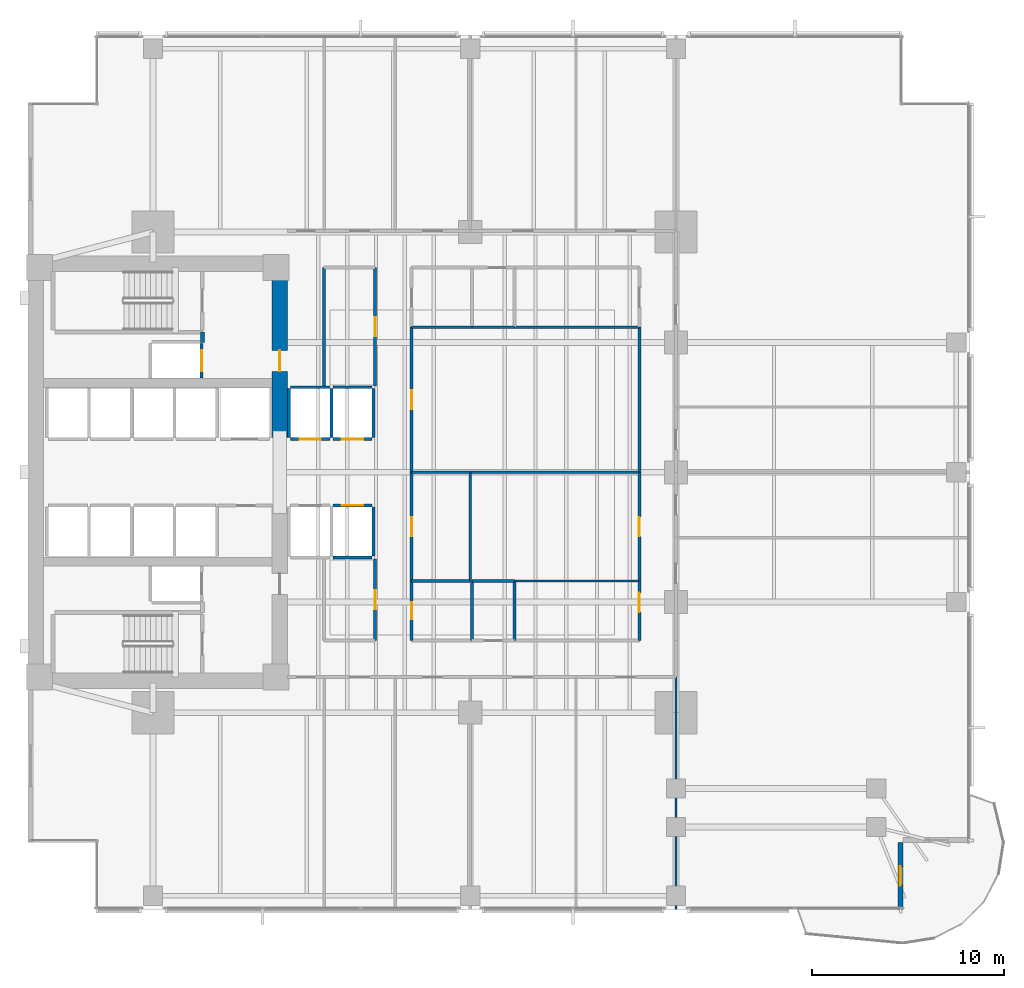
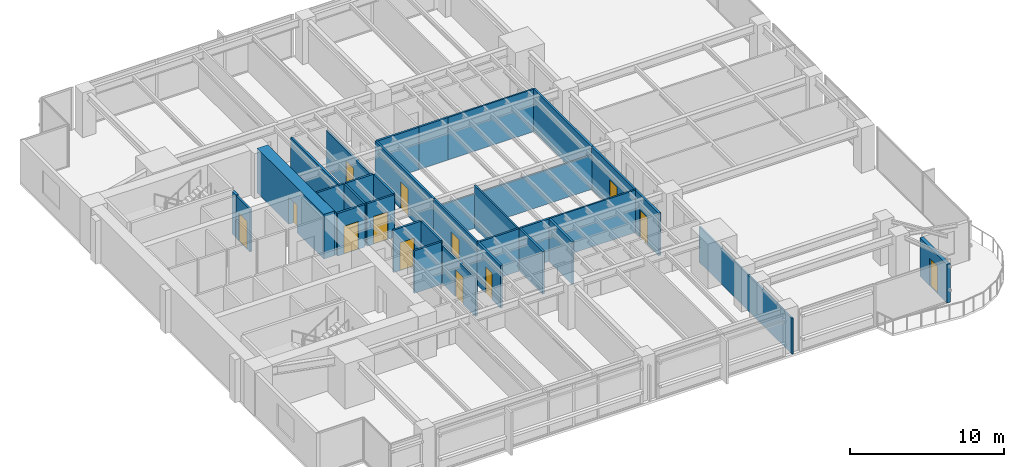
# One storey, part 9 of 15: 35 walls, 13 doors, 13 openings.
"""IFC4 building model written with IfcOpenShell, lengths in metres."""

from ifc_helpers import new_model, si_unit, direction, frame, frame_2d, origin, place, context, subcontext, project, spatial, rectangle, extrude, material, layer, layer_set, type_object, element, fill, save


model = new_model("IFC4")

# Units and contexts
model_context = context("Model", 3, precision=1e-05, world=origin(), true_north=direction((0.0, 1.0)))
body_context = subcontext(model_context, "Body", "Model", "MODEL_VIEW")
ifc_project = project(units=[si_unit("LENGTHUNIT", "METRE"), si_unit("AREAUNIT", "SQUARE_METRE"), si_unit("VOLUMEUNIT", "CUBIC_METRE"), si_unit("PLANEANGLEUNIT", "RADIAN"), si_unit("MASSUNIT", "GRAM", prefix="KILO")], contexts=[model_context])

# Site, building, storey
site_placement = place(None, origin())
site = spatial("IfcSite", under=ifc_project, at=site_placement, CompositionType="ELEMENT")
building_placement = place(site_placement, origin())
building = spatial("IfcBuilding", under=site, at=building_placement, Name="Kinhvarn Gate Tower", CompositionType="ELEMENT")
storey_placement = place(building_placement, frame((0.0, 0.0, 61.10009765625)))
storey = spatial("IfcBuildingStorey", under=building, at=storey_placement, Name="L15", CompositionType="ELEMENT", Elevation=61.10009765625)

# Wall, opening, door
ifc_material_1 = material(Name="Concrete C70/85", Category="concrete")
ifc_layer_1 = layer(ifc_material_1, 0.800048828125)
ifc_layer_set_1 = layer_set([ifc_layer_1], Name="Concrete C70/85")
wall_type_1 = type_object("IfcWallType", Name="WL-CORE-800", PredefinedType="SHEAR", material=ifc_layer_set_1)
wall_1_placement = place(storey_placement, frame((17.60009765625, 27.050048828125, 0.0), z_axis=(0.0, 0.0, 1.0), x_axis=(0.0, 1.0, 0.0)))
wall_1 = element("IfcWall", 1, at=wall_1_placement, inside=storey, type_object=wall_type_1, Name="Core East-North Shear Pier L15 800 mm", PredefinedType="SHEAR", context=body_context, shape_type="SweptSolid", body=[
    extrude(rectangle(XDim=8.64990234375, YDim=0.800048828125, at=frame_2d((4.324951171875, 0.0))), origin(), (0.0, 0.0, 1.0), 3.5498046875),
])
opening_1_placement = place(wall_1_placement, frame((3.449951171875, 0.0, 0.0)))
opening_1 = element("IfcOpeningElement", 2, at=opening_1_placement, cuts=wall_1, Name="Opening FD-02", PredefinedType="OPENING", context=body_context, shape_type="SweptSolid", body=[
    extrude(rectangle(XDim=1.10009765625, YDim=2.14990234375, at=frame_2d((0.550048828125, 1.074951171875))), frame((0.0, 0.41015625, 0.0), z_axis=(0.0, -1.0, 0.0), x_axis=(1.0, 0.0, 0.0)), (0.0, 0.0, 1.0), 0.820068359375),
])
ifc_material_2 = material(Name="Anodised aluminium AW-6063", Category="aluminium")
door_type_1 = type_object("IfcDoorType", Name="DR-FD-1100", OperationType="NOTDEFINED", PredefinedType="DOOR", material=ifc_material_2)
door_1_placement = place(opening_1_placement, origin())
door_1 = element("IfcDoor", 3, at=door_1_placement, inside=storey, type_object=door_type_1, Name="Firefighting Lobby Core Door (L15)", OperationType="SINGLE_SWING_LEFT", OverallHeight=2.14990234375, OverallWidth=1.10009765625, PredefinedType="DOOR", context=body_context, shape_type="SweptSolid", body=[
    extrude(rectangle(XDim=1.10009765625, YDim=2.14990234375, at=frame_2d((0.550048828125, 1.074951171875))), frame((0.0, 0.02490234375, 0.0), z_axis=(0.0, -1.0, 0.0), x_axis=(1.0, 0.0, 0.0)), (0.0, 0.0, 1.0), 0.050048828125),
])
fill(opening_1, door_1)

ifc_material_3 = material(Name="Fired architectural terracotta", Category="masonry")
ifc_layer_2 = layer(ifc_material_3, 0.25)
ifc_layer_set_2 = layer_set([ifc_layer_2], Name="Fired architectural terracotta")
wall_type_2 = type_object("IfcWallType", Name="WL-EXT-250", PredefinedType="SOLIDWALL", material=ifc_layer_set_2)
wall_2_placement = place(storey_placement, frame((49.875, 2.5, 0.0), z_axis=(0.0, 0.0, 1.0), x_axis=(0.0, 1.0, 0.0)))
wall_2 = element("IfcWall", 4, at=wall_2_placement, inside=storey, type_object=wall_type_2, Name="Exterior Solidwall Wall EW-250 (L15 SE-Notch-Door)", PredefinedType="SOLIDWALL", context=body_context, shape_type="SweptSolid", body=[
    extrude(rectangle(XDim=3.5, YDim=0.25, at=frame_2d((1.75, 0.0))), origin(), (0.0, 0.0, 1.0), 3.06982421875),
])
opening_2_placement = place(wall_2_placement, frame((1.25, 0.0, 0.0)))
opening_2 = element("IfcOpeningElement", 5, at=opening_2_placement, cuts=wall_2, Name="Opening BD-01", PredefinedType="OPENING", context=body_context, shape_type="SweptSolid", body=[
    extrude(rectangle(XDim=1.0, YDim=2.199951171875, at=frame_2d((0.5, 1.10009765625))), frame((0.0, 0.135009765625, 0.0), z_axis=(0.0, -1.0, 0.0), x_axis=(1.0, 0.0, 0.0)), (0.0, 0.0, 1.0), 0.27001953125),
])
ifc_material_4 = material(Name="Clear low-e double glazing", Category="glass")
door_type_2 = type_object("IfcDoorType", Name="DR-BAL-1000", OperationType="NOTDEFINED", PredefinedType="DOOR", material=ifc_material_4)
door_2_placement = place(opening_2_placement, frame((1.0, 0.0, 0.0), z_axis=(0.0, 0.0, 1.0), x_axis=(-1.0, 0.0, 0.0)))
door_2 = element("IfcDoor", 6, at=door_2_placement, inside=storey, type_object=door_type_2, Name="S-Carve Balcony Door BD-01 (L15)", OperationType="SINGLE_SWING_LEFT", OverallHeight=2.199951171875, OverallWidth=1.0, PredefinedType="DOOR", context=body_context, shape_type="SweptSolid", body=[
    extrude(rectangle(XDim=1.0, YDim=2.199951171875, at=frame_2d((0.5, 1.10009765625))), frame((0.0, 0.02490234375, 0.0), z_axis=(0.0, -1.0, 0.0), x_axis=(1.0, 0.0, 0.0)), (0.0, 0.0, 1.0), 0.050048828125),
])
fill(opening_2, door_2)

# Walls
ifc_material_5 = material(Name="Gypsum acoustic partition board")
ifc_layer_3 = layer(ifc_material_5, 0.14990234375)
ifc_layer_set_3 = layer_set([ifc_layer_3], Name="Gypsum acoustic partition board")
wall_type_3 = type_object("IfcWallType", Name="WL-PLM-150", PredefinedType="PLUMBINGWALL", material=ifc_layer_set_3)
wall_3_placement = place(storey_placement, frame((27.60009765625, 16.5, 0.0), z_axis=(0.0, 0.0, 1.0), x_axis=(0.0, 1.0, 0.0)))
element("IfcWall", 7, at=wall_3_placement, inside=storey, type_object=wall_type_3, Name="Interior Partition PLW-150 (L15)", PredefinedType="PLUMBINGWALL", context=body_context, shape_type="SweptSolid", body=[
    extrude(rectangle(XDim=3.10009765625, YDim=0.14990234375, at=frame_2d((1.550048828125, 0.0))), origin(), (0.0, 0.0, 1.0), 3.369873046875),
])
wall_4_placement = place(storey_placement, frame((24.449951171875, 19.60009765625, 0.0), z_axis=(0.0, 0.0, 1.0), x_axis=(1.0, 0.0, 0.0)))
element("IfcWall", 8, at=wall_4_placement, inside=storey, type_object=wall_type_3, Name="Interior Partition PLW-150 (L15)", PredefinedType="PLUMBINGWALL", context=body_context, shape_type="SweptSolid", body=[
    extrude(rectangle(XDim=3.050048828125, YDim=0.14990234375, at=frame_2d((1.52490234375, 0.0))), origin(), (0.0, 0.0, 1.0), 3.369873046875),
])
wall_5_placement = place(storey_placement, frame((24.449951171875, 32.800048828125, 0.0), z_axis=(0.0, 0.0, 1.0), x_axis=(1.0, 0.0, 0.0)))
element("IfcWall", 9, at=wall_5_placement, inside=storey, type_object=wall_type_3, Name="Interior Partition PLW-150 (L15)", PredefinedType="PLUMBINGWALL", context=body_context, shape_type="SweptSolid", body=[
    extrude(rectangle(XDim=3.150146484375, YDim=0.14990234375, at=frame_2d((1.5751953125, 0.0))), origin(), (0.0, 0.0, 1.0), 3.369873046875),
])
wall_6_placement = place(storey_placement, frame((29.800048828125, 16.5, 0.0), z_axis=(0.0, 0.0, 1.0), x_axis=(0.0, 1.0, 0.0)))
element("IfcWall", 10, at=wall_6_placement, inside=storey, type_object=wall_type_3, Name="Interior Partition PLW-150 (L15)", PredefinedType="PLUMBINGWALL", context=body_context, shape_type="SweptSolid", body=[
    extrude(rectangle(XDim=3.10009765625, YDim=0.14990234375, at=frame_2d((1.550048828125, 0.0))), origin(), (0.0, 0.0, 1.0), 3.369873046875),
])
for number, where, z_axis, x_axis, name in (
    (11, (27.60009765625, 19.60009765625, 0.0), (0.0, 0.0, 1.0), (1.0, 0.0, 0.0), "Interior Partition PLW-150 (L15)"),
    (12, (27.60009765625, 32.800048828125, 0.0), (0.0, 0.0, 1.0), (1.0, 0.0, 0.0), "Interior Partition PLW-150 (L15)"),
):
    element("IfcWall", number, at=place(storey_placement, frame(where, z_axis=z_axis, x_axis=x_axis)), inside=storey, type_object=wall_type_3, Name=name, PredefinedType="PLUMBINGWALL", context=body_context, shape_type="SweptSolid", body=[
        extrude(rectangle(XDim=2.199951171875, YDim=0.14990234375, at=frame_2d((1.10009765625, 0.0))), origin(), (0.0, 0.0, 1.0), 3.369873046875),
    ])

# Wall, opening, door
ifc_layer_4 = layer(ifc_material_5, 0.14990234375)
ifc_layer_set_4 = layer_set([ifc_layer_4], Name="Gypsum acoustic partition board")
wall_type_4 = type_object("IfcWallType", Name="WL-PLM-150F", PredefinedType="PLUMBINGWALL", material=ifc_layer_set_4)
wall_7_placement = place(storey_placement, frame((24.449951171875, 16.5, 0.0), z_axis=(0.0, 0.0, 1.0), x_axis=(0.0, 1.0, 0.0)))
wall_7 = element("IfcWall", 13, at=wall_7_placement, inside=storey, type_object=wall_type_4, Name="Interior Partition PLW-150F (L15)", PredefinedType="PLUMBINGWALL", context=body_context, shape_type="SweptSolid", body=[
    extrude(rectangle(XDim=3.10009765625, YDim=0.14990234375, at=frame_2d((1.550048828125, 0.0))), origin(), (0.0, 0.0, 1.0), 3.369873046875),
])
opening_3_placement = place(wall_7_placement, frame((1.10009765625, 0.0, 0.0)))
opening_3 = element("IfcOpeningElement", 14, at=opening_3_placement, cuts=wall_7, Name="Opening FD-04", PredefinedType="OPENING", context=body_context, shape_type="SweptSolid", body=[
    extrude(rectangle(XDim=0.89990234375, YDim=2.10009765625, at=frame_2d((0.449951171875, 1.050048828125))), frame((0.0, 0.0849609375, 0.0), z_axis=(0.0, -1.0, 0.0), x_axis=(1.0, 0.0, 0.0)), (0.0, 0.0, 1.0), 0.169921875),
])
door_type_3 = type_object("IfcDoorType", Name="DR-FD-900", OperationType="NOTDEFINED", PredefinedType="DOOR", material=ifc_material_2)
door_3_placement = place(opening_3_placement, origin())
door_3 = element("IfcDoor", 15, at=door_3_placement, inside=storey, type_object=door_type_3, Name="Rated Riser & Service Closet Fire Door 900x2100 mm (L15)", OperationType="SINGLE_SWING_LEFT", OverallHeight=2.10009765625, OverallWidth=0.89990234375, PredefinedType="DOOR", context=body_context, shape_type="SweptSolid", body=[
    extrude(rectangle(XDim=0.89990234375, YDim=2.10009765625, at=frame_2d((0.449951171875, 1.050048828125))), frame((0.0, 0.02490234375, 0.0), z_axis=(0.0, -1.0, 0.0), x_axis=(1.0, 0.0, 0.0)), (0.0, 0.0, 1.0), 0.050048828125),
])
fill(opening_3, door_3)

# Walls
ifc_layer_5 = layer(ifc_material_5, 0.1201171875)
ifc_layer_set_5 = layer_set([ifc_layer_5], Name="Gypsum acoustic partition board")
wall_type_5 = type_object("IfcWallType", Name="WL-PRT-120", PredefinedType="PARTITIONING", material=ifc_layer_set_5)
for number, where, z_axis, x_axis, name in (
    (16, (29.800048828125, 19.60009765625, 0.0), (0.0, 0.0, 1.0), (1.0, 0.0, 0.0), "Interior Partition PW-120 (L15)"),
    (17, (29.800048828125, 32.800048828125, 0.0), (0.0, 0.0, 1.0), (1.0, 0.0, 0.0), "Interior Partition PW-120 (L15)"),
):
    element("IfcWall", number, at=place(storey_placement, frame(where, z_axis=z_axis, x_axis=x_axis)), inside=storey, type_object=wall_type_5, Name=name, PredefinedType="PARTITIONING", context=body_context, shape_type="SweptSolid", body=[
        extrude(rectangle(XDim=6.5, YDim=0.1201171875, at=frame_2d((3.25, 0.0))), origin(), (0.0, 0.0, 1.0), 3.369873046875),
    ])
wall_8_placement = place(storey_placement, frame((27.5, 19.60009765625, 0.0), z_axis=(0.0, 0.0, 1.0), x_axis=(0.0, 1.0, 0.0)))
element("IfcWall", 18, at=wall_8_placement, inside=storey, type_object=wall_type_5, Name="Interior Partition PW-120 (L15)", PredefinedType="PARTITIONING", context=body_context, shape_type="SweptSolid", body=[
    extrude(rectangle(XDim=5.64990234375, YDim=0.1201171875, at=frame_2d((2.824951171875, 0.0))), origin(), (0.0, 0.0, 1.0), 3.369873046875),
])
wall_9_placement = place(storey_placement, frame((24.449951171875, 25.25, 0.0), z_axis=(0.0, 0.0, 1.0), x_axis=(1.0, 0.0, 0.0)))
element("IfcWall", 19, at=wall_9_placement, inside=storey, type_object=wall_type_5, Name="Interior Partition PW-120 (L15)", PredefinedType="PARTITIONING", context=body_context, shape_type="SweptSolid", body=[
    extrude(rectangle(XDim=3.050048828125, YDim=0.1201171875, at=frame_2d((1.52490234375, 0.0))), origin(), (0.0, 0.0, 1.0), 2.719970703125),
])
wall_10_placement = place(storey_placement, frame((27.5, 25.25, 0.0), z_axis=(0.0, 0.0, 1.0), x_axis=(1.0, 0.0, 0.0)))
element("IfcWall", 20, at=wall_10_placement, inside=storey, type_object=wall_type_5, Name="Interior Partition PW-120 (L15)", PredefinedType="PARTITIONING", context=body_context, shape_type="SweptSolid", body=[
    extrude(rectangle(XDim=8.800048828125, YDim=0.1201171875, at=frame_2d((4.39990234375, 0.0))), origin(), (0.0, 0.0, 1.0), 2.719970703125),
])
wall_11_placement = place(storey_placement, frame((38.199951171875, 2.510009765625, 0.0), z_axis=(0.0, 0.0, 1.0), x_axis=(0.0, 1.0, 0.0)))
element("IfcWall", 21, at=wall_11_placement, inside=storey, type_object=wall_type_5, Name="Interior Partition PW-120 (L15)", PredefinedType="PARTITIONING", context=body_context, shape_type="SweptSolid", body=[
    extrude(rectangle(XDim=12.090087890625, YDim=0.1201171875, at=frame_2d((6.044921875, 0.0))), origin(), (0.0, 0.0, 1.0), 2.81982421875),
])

# Wall, opening, door
ifc_layer_6 = layer(ifc_material_5, 0.14990234375)
ifc_layer_set_6 = layer_set([ifc_layer_6], Name="Gypsum acoustic partition board")
wall_type_6 = type_object("IfcWallType", Name="WL-PRT-150F", PredefinedType="PARTITIONING", material=ifc_layer_set_6)
wall_12_placement = place(storey_placement, frame((22.550048828125, 16.5, 0.0), z_axis=(0.0, 0.0, 1.0), x_axis=(0.0, 1.0, 0.0)))
wall_12 = element("IfcWall", 22, at=wall_12_placement, inside=storey, type_object=wall_type_6, Name="Interior Partition PW-150F (L15)", PredefinedType="PARTITIONING", context=body_context, shape_type="SweptSolid", body=[
    extrude(rectangle(XDim=4.25, YDim=0.14990234375, at=frame_2d((2.125, 0.0))), origin(), (0.0, 0.0, 1.0), 3.010009765625),
])
opening_4_placement = place(wall_12_placement, frame((1.625, 0.0, 0.0)))
opening_4 = element("IfcOpeningElement", 23, at=opening_4_placement, cuts=wall_12, Name="Opening ID-02", PredefinedType="OPENING", context=body_context, shape_type="SweptSolid", body=[
    extrude(rectangle(XDim=1.0, YDim=2.14990234375, at=frame_2d((0.5, 1.074951171875))), frame((0.0, 0.0849609375, 0.0), z_axis=(0.0, -1.0, 0.0), x_axis=(1.0, 0.0, 0.0)), (0.0, 0.0, 1.0), 0.169921875),
])
door_type_4 = type_object("IfcDoorType", Name="DR-INT-1000", OperationType="NOTDEFINED", PredefinedType="DOOR", material=ifc_material_2)
door_4_placement = place(opening_4_placement, origin())
door_4 = element("IfcDoor", 24, at=door_4_placement, inside=storey, type_object=door_type_4, Name="Standard Office & Meeting Room Door 1000x2150 mm (L15)", OperationType="SINGLE_SWING_LEFT", OverallHeight=2.14990234375, OverallWidth=1.0, PredefinedType="DOOR", context=body_context, shape_type="SweptSolid", body=[
    extrude(rectangle(XDim=1.0, YDim=2.14990234375, at=frame_2d((0.5, 1.074951171875))), frame((0.0, 0.02490234375, 0.0), z_axis=(0.0, -1.0, 0.0), x_axis=(1.0, 0.0, 0.0)), (0.0, 0.0, 1.0), 0.050048828125),
])
fill(opening_4, door_4)

wall_13_placement = place(storey_placement, frame((22.550048828125, 29.75, 0.0), z_axis=(0.0, 0.0, 1.0), x_axis=(0.0, 1.0, 0.0)))
wall_13 = element("IfcWall", 25, at=wall_13_placement, inside=storey, type_object=wall_type_6, Name="Interior Partition PW-150F (L15)", PredefinedType="PARTITIONING", context=body_context, shape_type="SweptSolid", body=[
    extrude(rectangle(XDim=6.14990234375, YDim=0.14990234375, at=frame_2d((3.074951171875, 0.0))), origin(), (0.0, 0.0, 1.0), 3.010009765625),
])
opening_5_placement = place(wall_13_placement, frame((2.574951171875, 0.0, 0.0)))
opening_5 = element("IfcOpeningElement", 26, at=opening_5_placement, cuts=wall_13, Name="Opening ID-02", PredefinedType="OPENING", context=body_context, shape_type="SweptSolid", body=[
    extrude(rectangle(XDim=1.0, YDim=2.14990234375, at=frame_2d((0.5, 1.074951171875))), frame((0.0, 0.0849609375, 0.0), z_axis=(0.0, -1.0, 0.0), x_axis=(1.0, 0.0, 0.0)), (0.0, 0.0, 1.0), 0.169921875),
])
door_5_placement = place(opening_5_placement, origin())
door_5 = element("IfcDoor", 27, at=door_5_placement, inside=storey, type_object=door_type_4, Name="Standard Office & Meeting Room Door 1000x2150 mm (L15)", OperationType="SINGLE_SWING_RIGHT", OverallHeight=2.14990234375, OverallWidth=1.0, PredefinedType="DOOR", context=body_context, shape_type="SweptSolid", body=[
    extrude(rectangle(XDim=1.0, YDim=2.14990234375, at=frame_2d((0.5, 1.074951171875))), frame((0.0, 0.02490234375, 0.0), z_axis=(0.0, -1.0, 0.0), x_axis=(1.0, 0.0, 0.0)), (0.0, 0.0, 1.0), 0.050048828125),
])
fill(opening_5, door_5)

wall_14_placement = place(storey_placement, frame((24.449951171875, 19.60009765625, 0.0), z_axis=(0.0, 0.0, 1.0), x_axis=(0.0, 1.0, 0.0)))
wall_14 = element("IfcWall", 28, at=wall_14_placement, inside=storey, type_object=wall_type_6, Name="Interior Partition PW-150F (L15)", PredefinedType="PARTITIONING", context=body_context, shape_type="SweptSolid", body=[
    extrude(rectangle(XDim=5.64990234375, YDim=0.14990234375, at=frame_2d((2.824951171875, 0.0))), origin(), (0.0, 0.0, 1.0), 3.369873046875),
])
opening_6_placement = place(wall_14_placement, frame((2.324951171875, 0.0, 0.0)))
opening_6 = element("IfcOpeningElement", 29, at=opening_6_placement, cuts=wall_14, Name="Opening ID-02", PredefinedType="OPENING", context=body_context, shape_type="SweptSolid", body=[
    extrude(rectangle(XDim=1.0, YDim=2.14990234375, at=frame_2d((0.5, 1.074951171875))), frame((0.0, 0.0849609375, 0.0), z_axis=(0.0, -1.0, 0.0), x_axis=(1.0, 0.0, 0.0)), (0.0, 0.0, 1.0), 0.169921875),
])
door_6_placement = place(opening_6_placement, origin())
door_6 = element("IfcDoor", 30, at=door_6_placement, inside=storey, type_object=door_type_4, Name="Standard Office & Meeting Room Door 1000x2150 mm (L15)", OperationType="SINGLE_SWING_LEFT", OverallHeight=2.14990234375, OverallWidth=1.0, PredefinedType="DOOR", context=body_context, shape_type="SweptSolid", body=[
    extrude(rectangle(XDim=1.0, YDim=2.14990234375, at=frame_2d((0.5, 1.074951171875))), frame((0.0, 0.02490234375, 0.0), z_axis=(0.0, -1.0, 0.0), x_axis=(1.0, 0.0, 0.0)), (0.0, 0.0, 1.0), 0.050048828125),
])
fill(opening_6, door_6)

wall_15_placement = place(storey_placement, frame((24.449951171875, 25.25, 0.0), z_axis=(0.0, 0.0, 1.0), x_axis=(0.0, 1.0, 0.0)))
wall_15 = element("IfcWall", 31, at=wall_15_placement, inside=storey, type_object=wall_type_6, Name="Interior Partition PW-150F (L15)", PredefinedType="PARTITIONING", context=body_context, shape_type="SweptSolid", body=[
    extrude(rectangle(XDim=7.550048828125, YDim=0.14990234375, at=frame_2d((3.77490234375, 0.0))), origin(), (0.0, 0.0, 1.0), 3.369873046875),
])
opening_7_placement = place(wall_15_placement, frame((3.27490234375, 0.0, 0.0)))
opening_7 = element("IfcOpeningElement", 32, at=opening_7_placement, cuts=wall_15, Name="Opening ID-02", PredefinedType="OPENING", context=body_context, shape_type="SweptSolid", body=[
    extrude(rectangle(XDim=1.0, YDim=2.14990234375, at=frame_2d((0.5, 1.074951171875))), frame((0.0, 0.0849609375, 0.0), z_axis=(0.0, -1.0, 0.0), x_axis=(1.0, 0.0, 0.0)), (0.0, 0.0, 1.0), 0.169921875),
])
door_7_placement = place(opening_7_placement, origin())
door_7 = element("IfcDoor", 33, at=door_7_placement, inside=storey, type_object=door_type_4, Name="Standard Office & Meeting Room Door 1000x2150 mm (L15)", OperationType="SINGLE_SWING_RIGHT", OverallHeight=2.14990234375, OverallWidth=1.0, PredefinedType="DOOR", context=body_context, shape_type="SweptSolid", body=[
    extrude(rectangle(XDim=1.0, YDim=2.14990234375, at=frame_2d((0.5, 1.074951171875))), frame((0.0, 0.02490234375, 0.0), z_axis=(0.0, -1.0, 0.0), x_axis=(1.0, 0.0, 0.0)), (0.0, 0.0, 1.0), 0.050048828125),
])
fill(opening_7, door_7)

# Wall
wall_16_placement = place(storey_placement, frame((19.89990234375, 29.75, 0.0), z_axis=(0.0, 0.0, 1.0), x_axis=(0.0, 1.0, 0.0)))
element("IfcWall", 34, at=wall_16_placement, inside=storey, type_object=wall_type_6, Name="Interior Partition PW-150F (L15)", PredefinedType="PARTITIONING", context=body_context, shape_type="SweptSolid", body=[
    extrude(rectangle(XDim=6.14990234375, YDim=0.14990234375, at=frame_2d((3.074951171875, 0.0))), origin(), (0.0, 0.0, 1.0), 3.369873046875),
])

# Wall, opening, door
wall_17_placement = place(storey_placement, frame((36.300048828125, 16.5, 0.0), z_axis=(0.0, 0.0, 1.0), x_axis=(0.0, 1.0, 0.0)))
wall_17 = element("IfcWall", 35, at=wall_17_placement, inside=storey, type_object=wall_type_6, Name="Interior Partition PW-150F (L15)", PredefinedType="PARTITIONING", context=body_context, shape_type="SweptSolid", body=[
    extrude(rectangle(XDim=3.10009765625, YDim=0.14990234375, at=frame_2d((1.550048828125, 0.0))), origin(), (0.0, 0.0, 1.0), 3.369873046875),
])
opening_8_placement = place(wall_17_placement, frame((1.485107421875, 0.0, 0.0)))
opening_8 = element("IfcOpeningElement", 36, at=opening_8_placement, cuts=wall_17, Name="Opening ID-02", PredefinedType="OPENING", context=body_context, shape_type="SweptSolid", body=[
    extrude(rectangle(XDim=1.0, YDim=2.14990234375, at=frame_2d((0.5, 1.074951171875))), frame((0.0, 0.0849609375, 0.0), z_axis=(0.0, -1.0, 0.0), x_axis=(1.0, 0.0, 0.0)), (0.0, 0.0, 1.0), 0.169921875),
])
door_8_placement = place(opening_8_placement, origin())
door_8 = element("IfcDoor", 37, at=door_8_placement, inside=storey, type_object=door_type_4, Name="Standard Office & Meeting Room Door 1000x2150 mm (L15)", OperationType="SINGLE_SWING_LEFT", OverallHeight=2.14990234375, OverallWidth=1.0, PredefinedType="DOOR", context=body_context, shape_type="SweptSolid", body=[
    extrude(rectangle(XDim=1.0, YDim=2.14990234375, at=frame_2d((0.5, 1.074951171875))), frame((0.0, 0.02490234375, 0.0), z_axis=(0.0, -1.0, 0.0), x_axis=(1.0, 0.0, 0.0)), (0.0, 0.0, 1.0), 0.050048828125),
])
fill(opening_8, door_8)

wall_18_placement = place(storey_placement, frame((36.300048828125, 19.60009765625, 0.0), z_axis=(0.0, 0.0, 1.0), x_axis=(0.0, 1.0, 0.0)))
wall_18 = element("IfcWall", 38, at=wall_18_placement, inside=storey, type_object=wall_type_6, Name="Interior Partition PW-150F (L15)", PredefinedType="PARTITIONING", context=body_context, shape_type="SweptSolid", body=[
    extrude(rectangle(XDim=5.64990234375, YDim=0.14990234375, at=frame_2d((2.824951171875, 0.0))), origin(), (0.0, 0.0, 1.0), 3.369873046875),
])
opening_9_placement = place(wall_18_placement, frame((2.324951171875, 0.0, 0.0)))
opening_9 = element("IfcOpeningElement", 39, at=opening_9_placement, cuts=wall_18, Name="Opening ID-02", PredefinedType="OPENING", context=body_context, shape_type="SweptSolid", body=[
    extrude(rectangle(XDim=1.0, YDim=2.14990234375, at=frame_2d((0.5, 1.074951171875))), frame((0.0, 0.0849609375, 0.0), z_axis=(0.0, -1.0, 0.0), x_axis=(1.0, 0.0, 0.0)), (0.0, 0.0, 1.0), 0.169921875),
])
door_9_placement = place(opening_9_placement, origin())
door_9 = element("IfcDoor", 40, at=door_9_placement, inside=storey, type_object=door_type_4, Name="Standard Office & Meeting Room Door 1000x2150 mm (L15)", OperationType="SINGLE_SWING_LEFT", OverallHeight=2.14990234375, OverallWidth=1.0, PredefinedType="DOOR", context=body_context, shape_type="SweptSolid", body=[
    extrude(rectangle(XDim=1.0, YDim=2.14990234375, at=frame_2d((0.5, 1.074951171875))), frame((0.0, 0.02490234375, 0.0), z_axis=(0.0, -1.0, 0.0), x_axis=(1.0, 0.0, 0.0)), (0.0, 0.0, 1.0), 0.050048828125),
])
fill(opening_9, door_9)

# Walls
wall_19_placement = place(storey_placement, frame((36.300048828125, 25.25, 0.0), z_axis=(0.0, 0.0, 1.0), x_axis=(0.0, 1.0, 0.0)))
element("IfcWall", 41, at=wall_19_placement, inside=storey, type_object=wall_type_6, Name="Interior Partition PW-150F (L15)", PredefinedType="PARTITIONING", context=body_context, shape_type="SweptSolid", body=[
    extrude(rectangle(XDim=7.550048828125, YDim=0.14990234375, at=frame_2d((3.77490234375, 0.0))), origin(), (0.0, 0.0, 1.0), 3.369873046875),
])
ifc_layer_7 = layer(ifc_material_5, 0.199951171875)
ifc_layer_set_7 = layer_set([ifc_layer_7], Name="Gypsum acoustic partition board")
wall_type_7 = type_object("IfcWallType", Name="WL-PRT-200", PredefinedType="PARTITIONING", material=ifc_layer_set_7)
wall_20_placement = place(storey_placement, frame((13.580078125, 32.0, 0.0), z_axis=(0.0, 0.0, 1.0), x_axis=(0.0, 1.0, 0.0)))
element("IfcWall", 42, at=wall_20_placement, inside=storey, type_object=wall_type_7, Name="Interior Partition PW-200 (L15)", PredefinedType="PARTITIONING", context=body_context, shape_type="SweptSolid", body=[
    extrude(rectangle(XDim=0.5400390625, YDim=0.199951171875, at=frame_2d((0.27001953125, 0.0))), origin(), (0.0, 0.0, 1.0), 3.369873046875),
])
ifc_layer_8 = layer(ifc_material_5, 0.14990234375)
ifc_layer_set_8 = layer_set([ifc_layer_8], Name="Gypsum acoustic partition board")
wall_type_8 = type_object("IfcWallType", Name="WL-SHF-150", PredefinedType="PARTITIONING", material=ifc_layer_set_8)
wall_21_placement = place(storey_placement, frame((20.35009765625, 20.824951171875, 0.0), z_axis=(0.0, 0.0, 1.0), x_axis=(1.0, 0.0, 0.0)))
element("IfcWall", 43, at=wall_21_placement, inside=storey, type_object=wall_type_8, Name="Elevator PL-02 Hoistway Wall S (L15)", PredefinedType="PARTITIONING", context=body_context, shape_type="SweptSolid", body=[
    extrude(rectangle(XDim=2.0498046875, YDim=0.14990234375, at=frame_2d((1.02490234375, 0.0))), origin(), (0.0, 0.0, 1.0), 3.369873046875),
])

# Wall, opening, door
wall_22_placement = place(storey_placement, frame((20.35009765625, 23.52490234375, 0.0), z_axis=(0.0, 0.0, 1.0), x_axis=(1.0, 0.0, 0.0)))
wall_22 = element("IfcWall", 44, at=wall_22_placement, inside=storey, type_object=wall_type_8, Name="Elevator PL-02 Landing Wall (L15)", PredefinedType="PARTITIONING", context=body_context, shape_type="SweptSolid", body=[
    extrude(rectangle(XDim=2.0498046875, YDim=0.14990234375, at=frame_2d((1.02490234375, 0.0))), origin(), (0.0, 0.0, 1.0), 3.369873046875),
])
opening_10_placement = place(wall_22_placement, frame((0.47509765625, 0.0, 0.0)))
opening_10 = element("IfcOpeningElement", 45, at=opening_10_placement, cuts=wall_22, Name="Opening LD-01", PredefinedType="OPENING", context=body_context, shape_type="SweptSolid", body=[
    extrude(rectangle(XDim=1.10009765625, YDim=2.199951171875, at=frame_2d((0.550048828125, 1.10009765625))), frame((0.0, 0.0849609375, 0.0), z_axis=(0.0, -1.0, 0.0), x_axis=(1.0, 0.0, 0.0)), (0.0, 0.0, 1.0), 0.169921875),
])
door_type_5 = type_object("IfcDoorType", Name="DR-LND-PAS", OperationType="NOTDEFINED", PredefinedType="DOOR", material=ifc_material_2)
door_10_placement = place(opening_10_placement, origin())
door_10 = element("IfcDoor", 46, at=door_10_placement, inside=storey, type_object=door_type_5, Name="Elevator PL-02 Sliding Landing Door (L15)", OperationType="DOUBLE_DOOR_SLIDING", OverallHeight=2.199951171875, OverallWidth=1.10009765625, PredefinedType="DOOR", context=body_context, shape_type="SweptSolid", body=[
    extrude(rectangle(XDim=1.10009765625, YDim=2.199951171875, at=frame_2d((0.550048828125, 1.10009765625))), frame((0.0, 0.02490234375, 0.0), z_axis=(0.0, -1.0, 0.0), x_axis=(1.0, 0.0, 0.0)), (0.0, 0.0, 1.0), 0.050048828125),
])
fill(opening_10, door_10)

# Wall
wall_23_placement = place(storey_placement, frame((22.47509765625, 20.89990234375, 0.0), z_axis=(0.0, 0.0, 1.0), x_axis=(0.0, 1.0, 0.0)))
element("IfcWall", 47, at=wall_23_placement, inside=storey, type_object=wall_type_8, Name="Elevator PL-02 Hoistway Wall E (L15)", PredefinedType="PARTITIONING", context=body_context, shape_type="SweptSolid", body=[
    extrude(rectangle(XDim=2.550048828125, YDim=0.14990234375, at=frame_2d((1.27490234375, 0.0))), origin(), (0.0, 0.0, 1.0), 3.369873046875),
])

# Wall, opening, door
wall_24_placement = place(storey_placement, frame((18.14990234375, 26.97509765625, 0.0), z_axis=(0.0, 0.0, 1.0), x_axis=(1.0, 0.0, 0.0)))
wall_24 = element("IfcWall", 48, at=wall_24_placement, inside=storey, type_object=wall_type_8, Name="Elevator PL-03 Landing Wall (L15)", PredefinedType="PARTITIONING", context=body_context, shape_type="SweptSolid", body=[
    extrude(rectangle(XDim=2.050048828125, YDim=0.14990234375, at=frame_2d((1.02490234375, 0.0))), origin(), (0.0, 0.0, 1.0), 3.369873046875),
])
opening_11_placement = place(wall_24_placement, frame((0.47509765625, 0.0, 0.0)))
opening_11 = element("IfcOpeningElement", 49, at=opening_11_placement, cuts=wall_24, Name="Opening LD-01", PredefinedType="OPENING", context=body_context, shape_type="SweptSolid", body=[
    extrude(rectangle(XDim=1.10009765625, YDim=2.199951171875, at=frame_2d((0.550048828125, 1.10009765625))), frame((0.0, 0.0849609375, 0.0), z_axis=(0.0, -1.0, 0.0), x_axis=(1.0, 0.0, 0.0)), (0.0, 0.0, 1.0), 0.169921875),
])
door_11_placement = place(opening_11_placement, origin())
door_11 = element("IfcDoor", 50, at=door_11_placement, inside=storey, type_object=door_type_5, Name="Elevator PL-03 Sliding Landing Door (L15)", OperationType="DOUBLE_DOOR_SLIDING", OverallHeight=2.199951171875, OverallWidth=1.10009765625, PredefinedType="DOOR", context=body_context, shape_type="SweptSolid", body=[
    extrude(rectangle(XDim=1.10009765625, YDim=2.199951171875, at=frame_2d((0.550048828125, 1.10009765625))), frame((0.0, 0.02490234375, 0.0), z_axis=(0.0, -1.0, 0.0), x_axis=(1.0, 0.0, 0.0)), (0.0, 0.0, 1.0), 0.050048828125),
])
fill(opening_11, door_11)

# Walls
wall_25_placement = place(storey_placement, frame((18.14990234375, 29.675048828125, 0.0), z_axis=(0.0, 0.0, 1.0), x_axis=(1.0, 0.0, 0.0)))
element("IfcWall", 51, at=wall_25_placement, inside=storey, type_object=wall_type_8, Name="Elevator PL-03 Hoistway Wall N (L15)", PredefinedType="PARTITIONING", context=body_context, shape_type="SweptSolid", body=[
    extrude(rectangle(XDim=2.050048828125, YDim=0.14990234375, at=frame_2d((1.02490234375, 0.0))), origin(), (0.0, 0.0, 1.0), 3.369873046875),
])
for number, where, z_axis, x_axis, name in (
    (52, (18.074951171875, 27.050048828125, 0.0), (0.0, 0.0, 1.0), (0.0, 1.0, 0.0), "Elevator PL-03 Hoistway Wall W (L15)"),
    (53, (20.27490234375, 27.050048828125, 0.0), (0.0, 0.0, 1.0), (0.0, 1.0, 0.0), "Elevator PL-03 Hoistway Wall E (L15)"),
):
    element("IfcWall", number, at=place(storey_placement, frame(where, z_axis=z_axis, x_axis=x_axis)), inside=storey, type_object=wall_type_8, Name=name, PredefinedType="PARTITIONING", context=body_context, shape_type="SweptSolid", body=[
        extrude(rectangle(XDim=2.550048828125, YDim=0.14990234375, at=frame_2d((1.27490234375, 0.0))), origin(), (0.0, 0.0, 1.0), 3.369873046875),
    ])

# Wall, opening, door
wall_26_placement = place(storey_placement, frame((20.35009765625, 26.97509765625, 0.0), z_axis=(0.0, 0.0, 1.0), x_axis=(1.0, 0.0, 0.0)))
wall_26 = element("IfcWall", 54, at=wall_26_placement, inside=storey, type_object=wall_type_8, Name="Elevator PL-04 Landing Wall (L15)", PredefinedType="PARTITIONING", context=body_context, shape_type="SweptSolid", body=[
    extrude(rectangle(XDim=2.0498046875, YDim=0.14990234375, at=frame_2d((1.02490234375, 0.0))), origin(), (0.0, 0.0, 1.0), 3.369873046875),
])
opening_12_placement = place(wall_26_placement, frame((0.47509765625, 0.0, 0.0)))
opening_12 = element("IfcOpeningElement", 55, at=opening_12_placement, cuts=wall_26, Name="Opening LD-01", PredefinedType="OPENING", context=body_context, shape_type="SweptSolid", body=[
    extrude(rectangle(XDim=1.10009765625, YDim=2.199951171875, at=frame_2d((0.550048828125, 1.10009765625))), frame((0.0, 0.0849609375, 0.0), z_axis=(0.0, -1.0, 0.0), x_axis=(1.0, 0.0, 0.0)), (0.0, 0.0, 1.0), 0.169921875),
])
door_12_placement = place(opening_12_placement, origin())
door_12 = element("IfcDoor", 56, at=door_12_placement, inside=storey, type_object=door_type_5, Name="Elevator PL-04 Sliding Landing Door (L15)", OperationType="DOUBLE_DOOR_SLIDING", OverallHeight=2.199951171875, OverallWidth=1.10009765625, PredefinedType="DOOR", context=body_context, shape_type="SweptSolid", body=[
    extrude(rectangle(XDim=1.10009765625, YDim=2.199951171875, at=frame_2d((0.550048828125, 1.10009765625))), frame((0.0, 0.02490234375, 0.0), z_axis=(0.0, -1.0, 0.0), x_axis=(1.0, 0.0, 0.0)), (0.0, 0.0, 1.0), 0.050048828125),
])
fill(opening_12, door_12)

# Walls
wall_27_placement = place(storey_placement, frame((20.35009765625, 29.675048828125, 0.0), z_axis=(0.0, 0.0, 1.0), x_axis=(1.0, 0.0, 0.0)))
element("IfcWall", 57, at=wall_27_placement, inside=storey, type_object=wall_type_8, Name="Elevator PL-04 Hoistway Wall N (L15)", PredefinedType="PARTITIONING", context=body_context, shape_type="SweptSolid", body=[
    extrude(rectangle(XDim=2.0498046875, YDim=0.14990234375, at=frame_2d((1.02490234375, 0.0))), origin(), (0.0, 0.0, 1.0), 3.369873046875),
])
wall_28_placement = place(storey_placement, frame((22.47509765625, 27.050048828125, 0.0), z_axis=(0.0, 0.0, 1.0), x_axis=(0.0, 1.0, 0.0)))
element("IfcWall", 58, at=wall_28_placement, inside=storey, type_object=wall_type_8, Name="Elevator PL-04 Hoistway Wall E (L15)", PredefinedType="PARTITIONING", context=body_context, shape_type="SweptSolid", body=[
    extrude(rectangle(XDim=2.550048828125, YDim=0.14990234375, at=frame_2d((1.27490234375, 0.0))), origin(), (0.0, 0.0, 1.0), 3.369873046875),
])

# Wall, opening, door
wall_29_placement = place(storey_placement, frame((13.52490234375, 30.14990234375, 0.0), z_axis=(0.0, 0.0, 1.0), x_axis=(0.0, 1.0, 0.0)))
wall_29 = element("IfcWall", 59, at=wall_29_placement, inside=storey, type_object=wall_type_8, Name="Elevator FF2 Landing Wall (L15)", PredefinedType="PARTITIONING", context=body_context, shape_type="SweptSolid", body=[
    extrude(rectangle(XDim=1.800048828125, YDim=0.14990234375, at=frame_2d((0.89990234375, 0.0))), origin(), (0.0, 0.0, 1.0), 3.369873046875),
])
opening_13_placement = place(wall_29_placement, frame((0.35009765625, 0.0, 0.0)))
opening_13 = element("IfcOpeningElement", 60, at=opening_13_placement, cuts=wall_29, Name="Opening LD-03", PredefinedType="OPENING", context=body_context, shape_type="SweptSolid", body=[
    extrude(rectangle(XDim=1.10009765625, YDim=2.199951171875, at=frame_2d((0.550048828125, 1.10009765625))), frame((0.0, 0.0849609375, 0.0), z_axis=(0.0, -1.0, 0.0), x_axis=(1.0, 0.0, 0.0)), (0.0, 0.0, 1.0), 0.169921875),
])
door_type_6 = type_object("IfcDoorType", Name="DR-LND-FF", OperationType="NOTDEFINED", PredefinedType="DOOR", material=ifc_material_2)
door_13_placement = place(opening_13_placement, origin())
door_13 = element("IfcDoor", 61, at=door_13_placement, inside=storey, type_object=door_type_6, Name="Elevator FF2 Sliding Landing Door (L15)", OperationType="DOUBLE_DOOR_SLIDING", OverallHeight=2.199951171875, OverallWidth=1.10009765625, PredefinedType="DOOR", context=body_context, shape_type="SweptSolid", body=[
    extrude(rectangle(XDim=1.10009765625, YDim=2.199951171875, at=frame_2d((0.550048828125, 1.10009765625))), frame((0.0, 0.02490234375, 0.0), z_axis=(0.0, -1.0, 0.0), x_axis=(1.0, 0.0, 0.0)), (0.0, 0.0, 1.0), 0.050048828125),
])
fill(opening_13, door_13)

save(model, "model.ifc")
